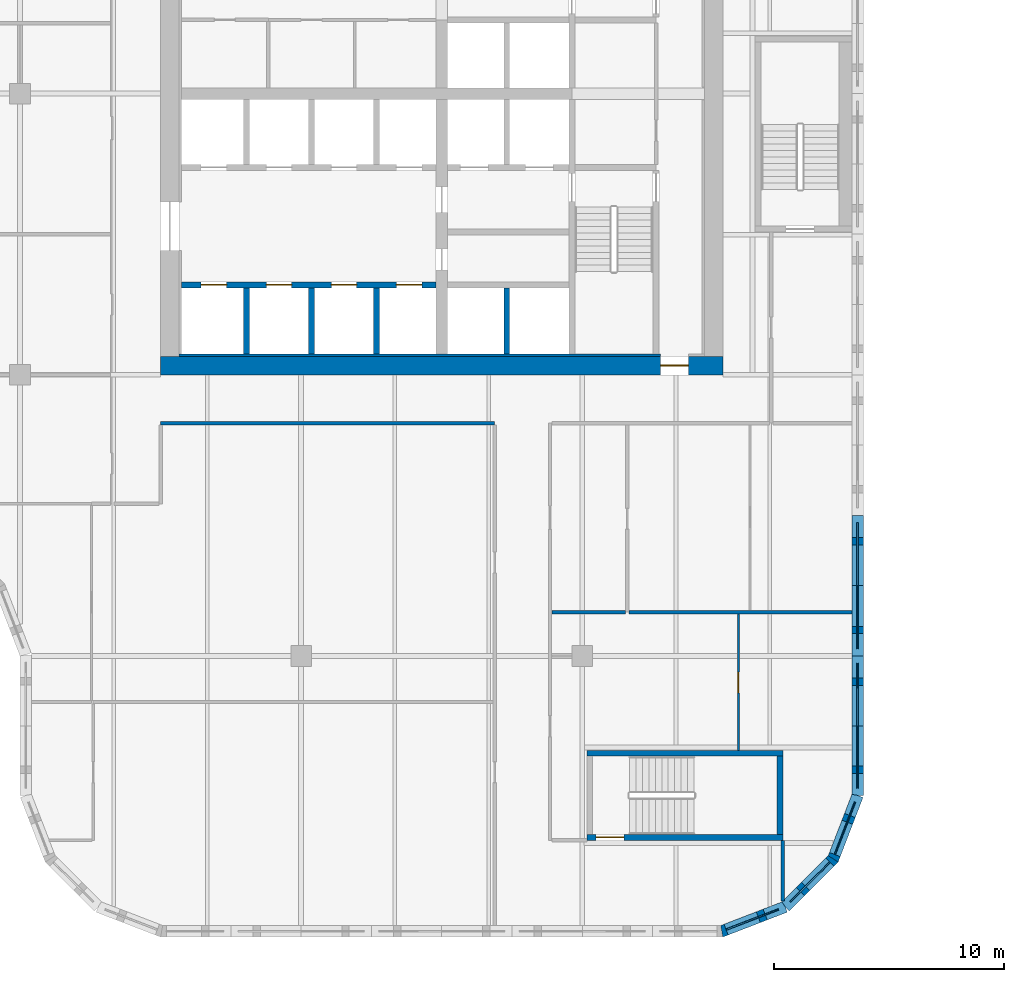
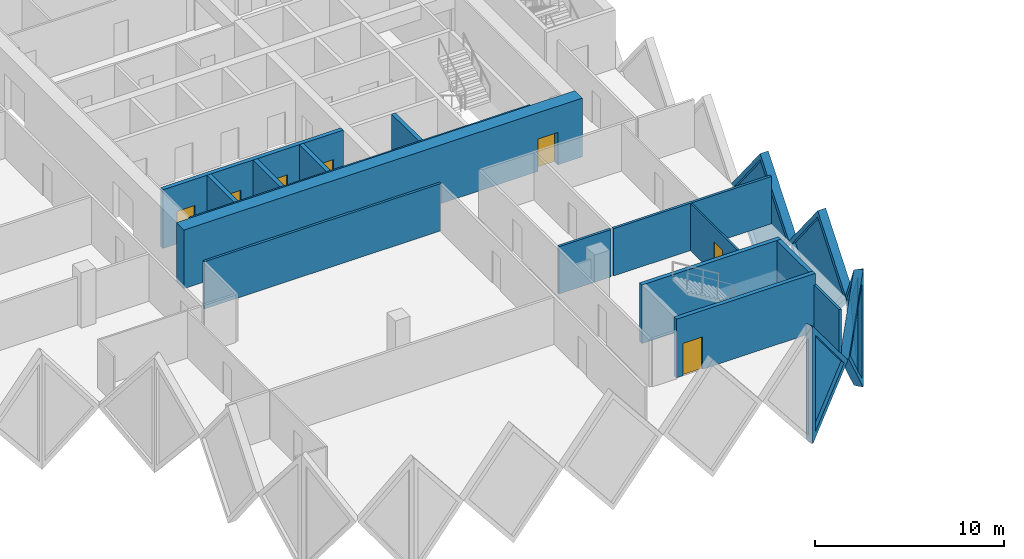
# One storey, part 6 of 18: 20 walls, 7 doors, 5 plates, 12 openings.
"""IFC4 building model written with IfcOpenShell, lengths in metres."""

from ifc_helpers import new_model, si_unit, direction, frame, frame_2d, origin, place, context, subcontext, project, spatial, polyline, rectangle, outline, extrude, faceted_brep, source, transform, mapped, material, layer, layer_set, type_object, element, fill, save


model = new_model("IFC4")

# Units and contexts
model_context = context("Model", 3, precision=1e-05, world=origin(), true_north=direction((0.0, 1.0)))
body_context = subcontext(model_context, "Body", "Model", "MODEL_VIEW")
ifc_project = project(units=[si_unit("LENGTHUNIT", "METRE"), si_unit("AREAUNIT", "SQUARE_METRE"), si_unit("VOLUMEUNIT", "CUBIC_METRE"), si_unit("PLANEANGLEUNIT", "RADIAN"), si_unit("MASSUNIT", "GRAM", prefix="KILO")], contexts=[model_context])

# Site, building, storey
site_placement = place(None, origin())
site = spatial("IfcSite", under=ifc_project, at=site_placement, CompositionType="ELEMENT")
building_placement = place(site_placement, origin())
building = spatial("IfcBuilding", under=site, at=building_placement, Name="Tessera Gate Towers", CompositionType="ELEMENT")
storey_placement = place(building_placement, frame((0.0, 0.0, 99.0)))
storey = spatial("IfcBuildingStorey", under=building, at=storey_placement, Name="L24", CompositionType="ELEMENT", Elevation=99.0)

# Wall, openings, doors
ifc_material_1 = material(Name="Concrete C40/50", Category="concrete")
ifc_layer_1 = layer(ifc_material_1, 0.25)
ifc_layer_set_1 = layer_set([ifc_layer_1], Name="CORE ENCLOSURE WALL 250")
wall_type_1 = type_object("IfcWallType", Name="CORE ENCLOSURE WALL 250", PredefinedType="SOLIDWALL", material=ifc_layer_set_1)
wall_1_placement = place(storey_placement, frame((31.39990234375, 28.300048828125, 0.0), z_axis=(0.0, 0.0, 1.0), x_axis=(1.0, 0.0, 0.0)))
wall_1 = element("IfcWall", 1, at=wall_1_placement, inside=storey, type_object=wall_type_1, Name="L24 shaft and stair enclosure wall", PredefinedType="SOLIDWALL", context=body_context, shape_type="SweptSolid", body=[
    extrude(rectangle(XDim=11.050048828125, YDim=0.25, at=frame_2d((5.52490234375, 0.0))), origin(), (0.0, 0.0, 1.0), 3.800048828125),
])
shared_shape_1 = source(origin(), body_context, "Body", "SweptSolid", [
    extrude(rectangle(XDim=1.10009765625, YDim=2.10009765625, at=frame_2d((0.550048828125, 1.050048828125))), frame((0.0, 0.135009765625, 0.0), z_axis=(0.0, -1.0, 0.0), x_axis=(1.0, 0.0, 0.0)), (0.0, 0.0, 1.0), 0.27001953125),
])
opening_1_placement = place(wall_1_placement, frame((0.862548828125, 0.0, 0.0)))
opening_1 = element("IfcOpeningElement", 2, at=opening_1_placement, cuts=wall_1, Name="Opening LD-LR1", PredefinedType="OPENING", context=body_context, shape_type="MappedRepresentation", body=[
    mapped(shared_shape_1, transform((0.0, 0.0, 0.0), scale=1.0)),
])
opening_2_placement = place(wall_1_placement, frame((3.6875, 0.0, 0.0)))
opening_2 = element("IfcOpeningElement", 3, at=opening_2_placement, cuts=wall_1, Name="Opening LD-LR2", PredefinedType="OPENING", context=body_context, shape_type="MappedRepresentation", body=[
    mapped(shared_shape_1, transform((0.0, 0.0, 0.0), scale=1.0)),
])
opening_3_placement = place(wall_1_placement, frame((6.512451171875, 0.0, 0.0)))
opening_3 = element("IfcOpeningElement", 4, at=opening_3_placement, cuts=wall_1, Name="Opening LD-LR3", PredefinedType="OPENING", context=body_context, shape_type="MappedRepresentation", body=[
    mapped(shared_shape_1, transform((0.0, 0.0, 0.0), scale=1.0)),
])
opening_4_placement = place(wall_1_placement, frame((9.33740234375, 0.0, 0.0)))
opening_4 = element("IfcOpeningElement", 5, at=opening_4_placement, cuts=wall_1, Name="Opening LD-LR4", PredefinedType="OPENING", context=body_context, shape_type="MappedRepresentation", body=[
    mapped(shared_shape_1, transform((0.0, 0.0, 0.0), scale=1.0)),
])
ifc_material_2 = material(Name="Stainless steel", Category="steel")
door_type_1 = type_object("IfcDoorType", Name="CORE DOOR LD 1100x2100", OperationType="DOUBLE_DOOR_SLIDING", PredefinedType="DOOR", material=ifc_material_2)
shared_shape_2 = source(origin(), body_context, "Body", "SweptSolid", [
    extrude(rectangle(XDim=1.10009765625, YDim=2.10009765625, at=frame_2d((0.550048828125, 1.050048828125))), frame((0.0, 0.02490234375, 0.0), z_axis=(0.0, -1.0, 0.0), x_axis=(1.0, 0.0, 0.0)), (0.0, 0.0, 1.0), 0.050048828125),
])
door_1_placement = place(opening_1_placement, origin())
door_1 = element("IfcDoor", 6, at=door_1_placement, inside=storey, type_object=door_type_1, Name="Landing door LR1 L24", OperationType="DOUBLE_DOOR_SLIDING", OverallHeight=2.10009765625, OverallWidth=1.10009765625, PredefinedType="DOOR", context=body_context, shape_type="MappedRepresentation", body=[
    mapped(shared_shape_2, transform((0.0, 0.0, 0.0), scale=1.0)),
])
fill(opening_1, door_1)
door_2_placement = place(opening_2_placement, origin())
door_2 = element("IfcDoor", 7, at=door_2_placement, inside=storey, type_object=door_type_1, Name="Landing door LR2 L24", OperationType="DOUBLE_DOOR_SLIDING", OverallHeight=2.10009765625, OverallWidth=1.10009765625, PredefinedType="DOOR", context=body_context, shape_type="MappedRepresentation", body=[
    mapped(shared_shape_2, transform((0.0, 0.0, 0.0), scale=1.0)),
])
fill(opening_2, door_2)
door_3_placement = place(opening_3_placement, origin())
door_3 = element("IfcDoor", 8, at=door_3_placement, inside=storey, type_object=door_type_1, Name="Landing door LR3 L24", OperationType="DOUBLE_DOOR_SLIDING", OverallHeight=2.10009765625, OverallWidth=1.10009765625, PredefinedType="DOOR", context=body_context, shape_type="MappedRepresentation", body=[
    mapped(shared_shape_2, transform((0.0, 0.0, 0.0), scale=1.0)),
])
fill(opening_3, door_3)
door_4_placement = place(opening_4_placement, origin())
door_4 = element("IfcDoor", 9, at=door_4_placement, inside=storey, type_object=door_type_1, Name="Landing door LR4 L24", OperationType="DOUBLE_DOOR_SLIDING", OverallHeight=2.10009765625, OverallWidth=1.10009765625, PredefinedType="DOOR", context=body_context, shape_type="MappedRepresentation", body=[
    mapped(shared_shape_2, transform((0.0, 0.0, 0.0), scale=1.0)),
])
fill(opening_4, door_4)

# Walls
for number, where, z_axis, x_axis, name in (
    (10, (34.22509765625, 25.300048828125, 0.0), (0.0, 0.0, 1.0), (0.0, 1.0, 0.0), "L24 shaft and stair enclosure wall"),
    (11, (37.050048828125, 25.300048828125, 0.0), (0.0, 0.0, 1.0), (0.0, 1.0, 0.0), "L24 shaft and stair enclosure wall"),
    (12, (39.875, 25.300048828125, 0.0), (0.0, 0.0, 1.0), (0.0, 1.0, 0.0), "L24 shaft and stair enclosure wall"),
    (13, (45.52490234375, 25.300048828125, 0.0), (0.0, 0.0, 1.0), (0.0, 1.0, 0.0), "L24 shaft and stair enclosure wall"),
):
    element("IfcWall", number, at=place(storey_placement, frame(where, z_axis=z_axis, x_axis=x_axis)), inside=storey, type_object=wall_type_1, Name=name, PredefinedType="SOLIDWALL", context=body_context, shape_type="SweptSolid", body=[
        extrude(rectangle(XDim=2.875, YDim=0.25, at=frame_2d((1.4375, 0.0))), origin(), (0.0, 0.0, 1.0), 3.800048828125),
    ])

# Wall, opening, door
wall_2_placement = place(storey_placement, frame((57.5, 4.324951171875, 0.0), z_axis=(0.0, 0.0, 1.0), x_axis=(-1.0, 0.0, 0.0)))
wall_2 = element("IfcWall", 14, at=wall_2_placement, inside=storey, type_object=wall_type_1, Name="L24 ST4 enclosure wall", PredefinedType="SOLIDWALL", context=body_context, shape_type="SweptSolid", body=[
    extrude(rectangle(XDim=8.5, YDim=0.25, at=frame_2d((4.25, 0.0))), origin(), (0.0, 0.0, 1.0), 3.800048828125),
])
shared_shape_3 = source(origin(), body_context, "Body", "SweptSolid", [
    extrude(rectangle(XDim=1.199951171875, YDim=2.10009765625, at=frame_2d((0.60009765625, 1.050048828125))), frame((0.0, 0.135009765625, 0.0), z_axis=(0.0, -1.0, 0.0), x_axis=(1.0, 0.0, 0.0)), (0.0, 0.0, 1.0), 0.27001953125),
])
opening_5_placement = place(wall_2_placement, frame((6.89990234375, 0.0, 0.0)))
opening_5 = element("IfcOpeningElement", 15, at=opening_5_placement, cuts=wall_2, Name="Opening SD-ST4-1", PredefinedType="OPENING", context=body_context, shape_type="MappedRepresentation", body=[
    mapped(shared_shape_3, transform((0.0, 0.0, 0.0), scale=1.0)),
])
ifc_material_3 = material(Name="Hollow steel fire door", Category="steel")
door_type_2 = type_object("IfcDoorType", Name="CORE DOOR SD 1200x2100", OperationType="NOTDEFINED", PredefinedType="DOOR", material=ifc_material_3)
shared_shape_4 = source(origin(), body_context, "Body", "SweptSolid", [
    extrude(rectangle(XDim=1.199951171875, YDim=2.10009765625, at=frame_2d((0.60009765625, 1.050048828125))), frame((0.0, 0.02490234375, 0.0), z_axis=(0.0, -1.0, 0.0), x_axis=(1.0, 0.0, 0.0)), (0.0, 0.0, 1.0), 0.050048828125),
])
door_5_placement = place(opening_5_placement, origin())
door_5 = element("IfcDoor", 16, at=door_5_placement, inside=storey, type_object=door_type_2, Name="Stair door", OperationType="SINGLE_SWING_RIGHT", OverallHeight=2.10009765625, OverallWidth=1.199951171875, PredefinedType="DOOR", context=body_context, shape_type="MappedRepresentation", body=[
    mapped(shared_shape_4, transform((0.0, 0.0, 0.0), scale=1.0)),
])
fill(opening_5, door_5)

# Walls
wall_3_placement = place(storey_placement, frame((49.0, 7.97509765625, 0.0), z_axis=(0.0, 0.0, 1.0), x_axis=(1.0, 0.0, 0.0)))
element("IfcWall", 17, at=wall_3_placement, inside=storey, type_object=wall_type_1, Name="L24 ST4 enclosure wall", PredefinedType="SOLIDWALL", context=body_context, shape_type="SweptSolid", body=[
    extrude(rectangle(XDim=8.5, YDim=0.25, at=frame_2d((4.25, 0.0))), origin(), (0.0, 0.0, 1.0), 3.800048828125),
])
wall_4_placement = place(storey_placement, frame((57.375, 7.85009765625, 0.0), z_axis=(0.0, 0.0, 1.0), x_axis=(0.0, -1.0, 0.0)))
element("IfcWall", 18, at=wall_4_placement, inside=storey, type_object=wall_type_1, Name="L24 ST4 enclosure wall", PredefinedType="SOLIDWALL", context=body_context, shape_type="SweptSolid", body=[
    extrude(rectangle(XDim=3.400146484375, YDim=0.25, at=frame_2d((1.7001953125, 0.0))), origin(), (0.0, 0.0, 1.0), 3.800048828125),
])

# Wall, opening, door
ifc_material_4 = material(Name="Concrete C60/75", Category="concrete")
ifc_layer_2 = layer(ifc_material_4, 0.800048828125)
ifc_layer_set_2 = layer_set([ifc_layer_2], Name="CORE SHEAR WALL 800 C60/75")
wall_type_2 = type_object("IfcWallType", Name="CORE SHEAR WALL 800 C60/75", PredefinedType="SHEAR", material=ifc_layer_set_2)
wall_5_placement = place(storey_placement, frame((54.89990234375, 24.800048828125, 0.0), z_axis=(0.0, 0.0, 1.0), x_axis=(-1.0, 0.0, 0.0)))
wall_5 = element("IfcWall", 19, at=wall_5_placement, inside=storey, type_object=wall_type_2, Name="Core wall S L24", PredefinedType="SHEAR", context=body_context, shape_type="SweptSolid", body=[
    extrude(rectangle(XDim=24.39990234375, YDim=0.800048828125, at=frame_2d((12.199951171875, 0.0))), origin(), (0.0, 0.0, 1.0), 3.800048828125),
])
shared_shape_5 = source(origin(), body_context, "Body", "SweptSolid", [
    extrude(rectangle(XDim=1.199951171875, YDim=2.10009765625, at=frame_2d((0.60009765625, 1.050048828125))), frame((0.0, 0.409912109375, 0.0), z_axis=(0.0, -1.0, 0.0), x_axis=(1.0, 0.0, 0.0)), (0.0, 0.0, 1.0), 0.820068359375),
])
opening_6_placement = place(wall_5_placement, frame((1.5, 0.0, 0.0)))
opening_6 = element("IfcOpeningElement", 20, at=opening_6_placement, cuts=wall_5, Name="Opening ED-T1-16-01", PredefinedType="OPENING", context=body_context, shape_type="MappedRepresentation", body=[
    mapped(shared_shape_5, transform((0.0, 0.0, 0.0), scale=1.0)),
])
ifc_material_5 = material(Name="Hollow steel fire door", Category="steel")
door_type_3 = type_object("IfcDoorType", Name="CORE DOOR ED 1200x2100", OperationType="NOTDEFINED", PredefinedType="DOOR", material=ifc_material_5)
door_6_placement = place(opening_6_placement, origin())
door_6 = element("IfcDoor", 21, at=door_6_placement, inside=storey, type_object=door_type_3, Name="Core exit door", OperationType="SINGLE_SWING_LEFT", OverallHeight=2.10009765625, OverallWidth=1.199951171875, PredefinedType="DOOR", context=body_context, shape_type="MappedRepresentation", body=[
    mapped(shared_shape_4, transform((0.0, 0.0, 0.0), scale=1.0)),
])
fill(opening_6, door_6)

# Walls
ifc_material_6 = material(Name="Concrete C60/75", Category="concrete")
ifc_layer_3 = layer(ifc_material_6, 0.10009765625)
ifc_layer_set_3 = layer_set([ifc_layer_3], Name="CORE WALL THICKENING 100")
wall_type_3 = type_object("IfcWallType", Name="CORE WALL THICKENING 100", PredefinedType="SOLIDWALL", material=ifc_layer_set_3)
wall_6_placement = place(storey_placement, frame((31.300048828125, 25.25, 0.0), z_axis=(0.0, 0.0, 1.0), x_axis=(1.0, 0.0, 0.0)))
element("IfcWall", 22, at=wall_6_placement, inside=storey, type_object=wall_type_3, Name="Core wall thickening S L24", PredefinedType="SOLIDWALL", context=body_context, shape_type="SweptSolid", body=[
    extrude(rectangle(XDim=20.89990234375, YDim=0.10009765625, at=frame_2d((10.449951171875, 0.0))), origin(), (0.0, 0.0, 1.0), 3.800048828125),
])
ifc_material_7 = material(Name="Gypsum board on steel studs, mineral wool", Category="steel")
ifc_layer_4 = layer(ifc_material_7, 0.14990234375)
ifc_layer_set_4 = layer_set([ifc_layer_4], Name="CORRIDOR WALL 150")
wall_type_4 = type_object("IfcWallType", Name="CORRIDOR WALL 150", PredefinedType="PARTITIONING", material=ifc_layer_set_4)
wall_7_placement = place(storey_placement, frame((57.5, 1.55908203125, 0.0), z_axis=(0.0, 0.0, 1.0), x_axis=(0.0, 1.0, 0.0)))
element("IfcWall", 23, at=wall_7_placement, inside=storey, type_object=wall_type_4, Name="T1-L24-PW-002", PredefinedType="PARTITIONING", context=body_context, shape_type="SweptSolid", body=[
    extrude(rectangle(XDim=2.640869140625, YDim=0.14990234375, at=frame_2d((1.3203125, 0.0))), origin(), (0.0, 0.0, 1.0), 3.06689453125),
])
wall_8_placement = place(storey_placement, frame((30.5, 22.300048828125, 0.0), z_axis=(0.0, 0.0, 1.0), x_axis=(1.0, 0.0, 0.0)))
element("IfcWall", 24, at=wall_8_placement, inside=storey, type_object=wall_type_4, Name="T1-L24-PW-023", PredefinedType="PARTITIONING", context=body_context, shape_type="SweptSolid", body=[
    extrude(rectangle(XDim=14.5, YDim=0.14990234375, at=frame_2d((7.25, 0.0))), origin(), (0.0, 0.0, 1.0), 3.06689453125),
])

# Wall, opening, door
ifc_material_8 = material(Name="Gypsum board on steel studs", Category="steel")
ifc_layer_5 = layer(ifc_material_8, 0.10009765625)
ifc_layer_set_5 = layer_set([ifc_layer_5], Name="PARTITION 100")
wall_type_5 = type_object("IfcWallType", Name="PARTITION 100", PredefinedType="PARTITIONING", material=ifc_layer_set_5)
wall_9_placement = place(storey_placement, frame((55.574951171875, 14.02392578125, 0.0), z_axis=(0.0, 0.0, 1.0), x_axis=(0.0, -1.0, 0.0)))
wall_9 = element("IfcWall", 25, at=wall_9_placement, inside=storey, type_object=wall_type_5, Name="T1-L24-PW-007", PredefinedType="PARTITIONING", context=body_context, shape_type="SweptSolid", body=[
    extrude(rectangle(XDim=5.923828125, YDim=0.10009765625, at=frame_2d((2.9619140625, 0.0))), origin(), (0.0, 0.0, 1.0), 3.06689453125),
])
shared_shape_6 = source(origin(), body_context, "Body", "SweptSolid", [
    extrude(rectangle(XDim=0.89990234375, YDim=2.10009765625, at=frame_2d((0.449951171875, 1.050048828125))), frame((0.0, 0.06005859375, 0.0), z_axis=(0.0, -1.0, 0.0), x_axis=(1.0, 0.0, 0.0)), (0.0, 0.0, 1.0), 0.1201171875),
])
opening_7_placement = place(wall_9_placement, frame((2.52392578125, 0.0, 0.0)))
opening_7 = element("IfcOpeningElement", 26, at=opening_7_placement, cuts=wall_9, Name="Opening D190-A09-07", PredefinedType="OPENING", context=body_context, shape_type="MappedRepresentation", body=[
    mapped(shared_shape_6, transform((0.0, 0.0, 0.0), scale=1.0)),
])
ifc_material_9 = material(Name="Timber door leaf in steel frame", Category="steel")
door_type_4 = type_object("IfcDoorType", Name="INTERNAL DOOR 900 NOT RATED", OperationType="NOTDEFINED", PredefinedType="DOOR", material=ifc_material_9)
shared_shape_7 = source(origin(), body_context, "Body", "SweptSolid", [
    extrude(rectangle(XDim=0.89990234375, YDim=2.10009765625, at=frame_2d((0.449951171875, 1.050048828125))), frame((0.0, 0.02490234375, 0.0), z_axis=(0.0, -1.0, 0.0), x_axis=(1.0, 0.0, 0.0)), (0.0, 0.0, 1.0), 0.050048828125),
])
door_7_placement = place(opening_7_placement, origin())
door_7 = element("IfcDoor", 27, at=door_7_placement, inside=storey, type_object=door_type_4, Name="T1-L24-PD-011", OperationType="SINGLE_SWING_RIGHT", OverallHeight=2.10009765625, OverallWidth=0.89990234375, PredefinedType="DOOR", context=body_context, shape_type="MappedRepresentation", body=[
    mapped(shared_shape_7, transform((0.0, 0.0, 0.0), scale=1.0)),
])
fill(opening_7, door_7)

# Walls
ifc_material_10 = material(Name="Gypsum board on steel studs, mineral wool", Category="steel")
ifc_layer_6 = layer(ifc_material_10, 0.14990234375)
ifc_layer_set_6 = layer_set([ifc_layer_6], Name="TENANCY WALL 150")
wall_type_6 = type_object("IfcWallType", Name="TENANCY WALL 150", PredefinedType="PARTITIONING", material=ifc_layer_set_6)
wall_10_placement = place(storey_placement, frame((47.47607421875, 14.10009765625, 0.0), z_axis=(0.0, 0.0, 1.0), x_axis=(1.0, 0.0, 0.0)))
element("IfcWall", 28, at=wall_10_placement, inside=storey, type_object=wall_type_6, Name="T1-L24-PW-012", PredefinedType="PARTITIONING", context=body_context, shape_type="SweptSolid", body=[
    extrude(rectangle(XDim=3.197998046875, YDim=0.14990234375, at=frame_2d((1.59912109375, 0.0))), origin(), (0.0, 0.0, 1.0), 3.06689453125),
])
wall_11_placement = place(storey_placement, frame((50.825927734375, 14.10009765625, 0.0), z_axis=(0.0, 0.0, 1.0), x_axis=(1.0, 0.0, 0.0)))
element("IfcWall", 29, at=wall_11_placement, inside=storey, type_object=wall_type_6, Name="T1-L24-PW-014", PredefinedType="PARTITIONING", context=body_context, shape_type="SweptSolid", body=[
    extrude(rectangle(XDim=9.674072265625, YDim=0.14990234375, at=frame_2d((4.8369140625, 0.0))), origin(), (0.0, 0.0, 1.0), 3.06689453125),
])

# Wall, opening, plate
ifc_material_11 = material(Name="Precast concrete C60/75 white", Category="concrete")
ifc_layer_7 = layer(ifc_material_11, 0.5)
ifc_layer_set_7 = layer_set([ifc_layer_7], Name="TS1 tessera")
wall_type_7 = type_object("IfcWallType", Name="TS1 tessera", PredefinedType="SOLIDWALL", material=ifc_layer_set_7)
shared_shape_8 = source(origin(), body_context, "Body", "Brep", [
    faceted_brep([(3.00341796875, -0.25, 0.0), (6.053466796875, -0.25, 3.800048828125), (3.00341796875, -0.25, 7.60009765625), (0.0, -0.25, 3.800048828125), (0.046630859375, 0.25, 3.85888671875), (3.00341796875, 0.25, 7.60009765625), (6.053466796875, 0.25, 3.800048828125), (3.00341796875, 0.25, 0.0), (0.046630859375, 0.25, 3.7412109375), (0.0, 0.0, 3.800048828125)], [[[0, 1, 2, 3]], [[4, 5, 6, 7, 8]], [[7, 6, 1, 0]], [[6, 5, 2, 1]], [[5, 4, 9, 3, 2]], [[8, 7, 0, 3, 9]], [[8, 9, 4]]]),
])
wall_12_placement = place(storey_placement, frame((60.75, 6.146484375, -3.800048828125), z_axis=(0.0, 0.0, 1.0), x_axis=(0.0, 1.0, 0.0)))
wall_12 = element("IfcWall", 30, at=wall_12_placement, inside=storey, type_object=wall_type_7, Name="Precast tessera T1 TS1-0394", PredefinedType="SOLIDWALL", context=body_context, shape_type="MappedRepresentation", body=[
    mapped(shared_shape_8, transform((0.0, 0.0, 0.0), scale=1.0)),
])
shared_shape_9 = source(origin(), body_context, "Body", "SweptSolid", [
    extrude(outline(polyline([(3.0048828125, 0.4013671875), (5.73291015625, 3.800048828125), (3.0048828125, 7.19873046875), (0.318603515625, 3.800048828125), (3.0048828125, 0.4013671875)])), frame((0.0, 0.260009765625, 0.0), z_axis=(0.0, -1.0, 0.0), x_axis=(1.0, 0.0, 0.0)), (0.0, 0.0, 1.0), 0.52001953125),
])
opening_8_placement = place(wall_12_placement, origin())
opening_8 = element("IfcOpeningElement", 31, at=opening_8_placement, cuts=wall_12, Name="Opening T1-PL2-0808", PredefinedType="OPENING", context=body_context, shape_type="MappedRepresentation", body=[
    mapped(shared_shape_9, transform((0.0, 0.0, 0.0), scale=1.0)),
])
ifc_material_12 = material(Name="Low-e laminated glass", Category="glass")
ifc_layer_8 = layer(ifc_material_12, 0.06005859375)
ifc_layer_set_8 = layer_set([ifc_layer_8], Name="PL2 rhombic pane")
plate_type = type_object("IfcPlateType", Name="PL2 rhombic pane", PredefinedType="SHEET", material=ifc_layer_set_8)
shared_shape_10 = source(origin(), body_context, "Body", "SweptSolid", [
    extrude(outline(polyline([(3.0048828125, 0.4013671875), (5.73291015625, 3.800048828125), (3.0048828125, 7.19873046875), (0.318603515625, 3.800048828125), (3.0048828125, 0.4013671875)])), frame((0.0, 0.030029296875, 0.0), z_axis=(0.0, -1.0, 0.0), x_axis=(1.0, 0.0, 0.0)), (0.0, 0.0, 1.0), 0.06005859375),
])
plate_1_placement = place(opening_8_placement, origin())
plate_1 = element("IfcPlate", 32, at=plate_1_placement, inside=storey, type_object=plate_type, Name="Glass pane T1 PL2-0808", PredefinedType="SHEET", context=body_context, shape_type="MappedRepresentation", body=[
    mapped(shared_shape_10, transform((0.0, 0.0, 0.0), scale=1.0)),
])
fill(opening_8, plate_1)

shared_shape_11 = source(origin(), body_context, "Body", "SweptSolid", [
    extrude(outline(polyline([(3.050048828125, 0.0), (6.10009765625, 3.800048828125), (3.050048828125, 7.60009765625), (0.0, 3.800048828125), (3.050048828125, 0.0)])), frame((0.0, 0.25, 0.0), z_axis=(0.0, -1.0, 0.0), x_axis=(1.0, 0.0, 0.0)), (0.0, 0.0, 1.0), 0.5),
])
wall_13_placement = place(storey_placement, frame((60.75, 12.199951171875, -3.800048828125), z_axis=(0.0, 0.0, 1.0), x_axis=(0.0, 1.0, 0.0)))
wall_13 = element("IfcWall", 33, at=wall_13_placement, inside=storey, type_object=wall_type_7, Name="Precast tessera T1 TS1-0395", PredefinedType="SOLIDWALL", context=body_context, shape_type="MappedRepresentation", body=[
    mapped(shared_shape_11, transform((0.0, 0.0, 0.0), scale=1.0)),
])
shared_shape_12 = source(origin(), body_context, "Body", "SweptSolid", [
    extrude(outline(polyline([(3.050048828125, 0.3994140625), (5.779541015625, 3.800048828125), (3.050048828125, 7.20068359375), (0.320556640625, 3.800048828125), (3.050048828125, 0.3994140625)])), frame((0.0, 0.260009765625, 0.0), z_axis=(0.0, -1.0, 0.0), x_axis=(1.0, 0.0, 0.0)), (0.0, 0.0, 1.0), 0.52001953125),
])
opening_9_placement = place(wall_13_placement, origin())
opening_9 = element("IfcOpeningElement", 34, at=opening_9_placement, cuts=wall_13, Name="Opening T1-PL2-0809", PredefinedType="OPENING", context=body_context, shape_type="MappedRepresentation", body=[
    mapped(shared_shape_12, transform((0.0, 0.0, 0.0), scale=1.0)),
])
shared_shape_13 = source(origin(), body_context, "Body", "SweptSolid", [
    extrude(outline(polyline([(3.050048828125, 0.3994140625), (5.779541015625, 3.800048828125), (3.050048828125, 7.20068359375), (0.320556640625, 3.800048828125), (3.050048828125, 0.3994140625)])), frame((0.0, 0.030029296875, 0.0), z_axis=(0.0, -1.0, 0.0), x_axis=(1.0, 0.0, 0.0)), (0.0, 0.0, 1.0), 0.06005859375),
])
plate_2_placement = place(opening_9_placement, origin())
plate_2 = element("IfcPlate", 35, at=plate_2_placement, inside=storey, type_object=plate_type, Name="Glass pane T1 PL2-0809", PredefinedType="SHEET", context=body_context, shape_type="MappedRepresentation", body=[
    mapped(shared_shape_13, transform((0.0, 0.0, 0.0), scale=1.0)),
])
fill(opening_9, plate_2)

ifc_material_13 = material(Name="Precast concrete C60/75 white", Category="concrete")
ifc_layer_9 = layer(ifc_material_13, 0.5)
ifc_layer_set_9 = layer_set([ifc_layer_9], Name="TS3 corner tessera")
wall_type_8 = type_object("IfcWallType", Name="TS3 corner tessera", PredefinedType="SOLIDWALL", material=ifc_layer_set_9)
shared_shape_14 = source(origin(), body_context, "Body", "Brep", [
    faceted_brep([(0.046630859375, -0.25, 0.0), (2.9970703125, -0.25, 3.800048828125), (0.046630859375, -0.25, 7.60009765625), (0.0, -0.25, 7.541259765625), (0.0, -0.25, 0.058837890625), (0.09326171875, 0.25, 7.5400390625), (2.9443359375, 0.25, 3.8681640625), (2.9443359375, 0.25, 3.73193359375), (0.09326171875, 0.25, 0.06005859375), (2.9970703125, 0.00048828125, 3.800048828125), (0.046630859375, 0.0, 0.0), (0.046630859375, 0.0, 7.60009765625)], [[[0, 1, 2, 3, 4]], [[5, 6, 7, 8]], [[8, 7, 9, 1, 0, 10]], [[6, 5, 11, 2, 1, 9]], [[3, 2, 11]], [[10, 0, 4]], [[8, 10, 4, 3, 11, 5]], [[9, 7, 6]]]),
])
wall_14_placement = place(storey_placement, frame((54.81005859375, 0.233154296875, -3.800048828125), z_axis=(0.0, 0.0, 1.0), x_axis=(0.932990326376, 0.359901446078, 0.0)))
wall_14 = element("IfcWall", 36, at=wall_14_placement, inside=storey, type_object=wall_type_8, Name="Precast corner tessera T1 TS3-0532", PredefinedType="SOLIDWALL", context=body_context, shape_type="MappedRepresentation", body=[
    mapped(shared_shape_14, transform((0.0, 0.0, 0.0), scale=1.0)),
])
shared_shape_15 = source(origin(), body_context, "Body", "SweptSolid", [
    extrude(outline(polyline([(0.24658203125, 0.665283203125), (2.6806640625, 3.800048828125), (0.24658203125, 6.934814453125), (0.24658203125, 0.665283203125)])), frame((0.0, 0.260009765625, 0.0), z_axis=(0.0, -1.0, 0.0), x_axis=(1.0, 0.0, 0.0)), (0.0, 0.0, 1.0), 0.52001953125),
])
opening_10_placement = place(wall_14_placement, origin())
opening_10 = element("IfcOpeningElement", 37, at=opening_10_placement, cuts=wall_14, Name="Opening T1-PL2-0805", PredefinedType="OPENING", context=body_context, shape_type="MappedRepresentation", body=[
    mapped(shared_shape_15, transform((0.0, 0.0, 0.0), scale=1.0)),
])
shared_shape_16 = source(origin(), body_context, "Body", "SweptSolid", [
    extrude(outline(polyline([(0.24658203125, 0.665283203125), (2.6806640625, 3.800048828125), (0.24658203125, 6.934814453125), (0.24658203125, 0.665283203125)])), frame((0.0, 0.030029296875, 0.0), z_axis=(0.0, -1.0, 0.0), x_axis=(1.0, 0.0, 0.0)), (0.0, 0.0, 1.0), 0.06005859375),
])
plate_3_placement = place(opening_10_placement, origin())
plate_3 = element("IfcPlate", 38, at=plate_3_placement, inside=storey, type_object=plate_type, Name="Glass pane T1 PL2-0805", PredefinedType="SHEET", context=body_context, shape_type="MappedRepresentation", body=[
    mapped(shared_shape_16, transform((0.0, 0.0, 0.0), scale=1.0)),
])
fill(opening_10, plate_3)

shared_shape_17 = source(origin(), body_context, "Body", "Brep", [
    faceted_brep([(2.944091796875, -0.25, 0.0), (2.9970703125, -0.25, 0.068115234375), (2.9970703125, -0.25, 7.531982421875), (2.944091796875, -0.25, 7.60009765625), (0.0, -0.25, 3.800048828125), (0.052978515625, 0.25, 3.868408203125), (2.89111328125, 0.25, 7.531982421875), (2.89111328125, 0.25, 0.068115234375), (0.052978515625, 0.25, 3.731689453125), (2.944091796875, 0.000244140625, 0.0), (2.944091796875, 0.000244140625, 7.60009765625), (0.0, 0.0, 3.800048828125)], [[[0, 1, 2, 3, 4]], [[5, 6, 7, 8]], [[1, 0, 9]], [[10, 3, 2]], [[6, 5, 11, 4, 3, 10]], [[8, 7, 9, 0, 4, 11]], [[8, 11, 5]], [[1, 9, 7, 6, 10, 2]]]),
])
wall_15_placement = place(storey_placement, frame((57.606201171875, 1.31201171875, -3.800048828125), z_axis=(0.0, 0.0, 1.0), x_axis=(0.707147509625, 0.707066050402, 0.0)))
wall_15 = element("IfcWall", 39, at=wall_15_placement, inside=storey, type_object=wall_type_8, Name="Precast corner tessera T1 TS3-0533", PredefinedType="SOLIDWALL", context=body_context, shape_type="MappedRepresentation", body=[
    mapped(shared_shape_17, transform((0.0, 0.0, 0.0), scale=1.0)),
])
shared_shape_18 = source(origin(), body_context, "Body", "SweptSolid", [
    extrude(outline(polyline([(2.744140625, 6.933837890625), (0.316162109375, 3.800048828125), (2.744140625, 0.666259765625), (2.744140625, 6.933837890625)])), frame((0.0, 0.260009765625, 0.0), z_axis=(0.0, -1.0, 0.0), x_axis=(1.0, 0.0, 0.0)), (0.0, 0.0, 1.0), 0.52001953125),
])
opening_11_placement = place(wall_15_placement, origin())
opening_11 = element("IfcOpeningElement", 40, at=opening_11_placement, cuts=wall_15, Name="Opening T1-PL2-0806", PredefinedType="OPENING", context=body_context, shape_type="MappedRepresentation", body=[
    mapped(shared_shape_18, transform((0.0, 0.0, 0.0), scale=1.0)),
])
shared_shape_19 = source(origin(), body_context, "Body", "SweptSolid", [
    extrude(outline(polyline([(2.744140625, 6.933837890625), (0.316162109375, 3.800048828125), (2.744140625, 0.666259765625), (2.744140625, 6.933837890625)])), frame((0.0, 0.030029296875, 0.0), z_axis=(0.0, -1.0, 0.0), x_axis=(1.0, 0.0, 0.0)), (0.0, 0.0, 1.0), 0.06005859375),
])
plate_4_placement = place(opening_11_placement, origin())
plate_4 = element("IfcPlate", 41, at=plate_4_placement, inside=storey, type_object=plate_type, Name="Glass pane T1 PL2-0806", PredefinedType="SHEET", context=body_context, shape_type="MappedRepresentation", body=[
    mapped(shared_shape_19, transform((0.0, 0.0, 0.0), scale=1.0)),
])
fill(opening_11, plate_4)

shared_shape_20 = source(origin(), body_context, "Body", "Brep", [
    faceted_brep([(0.052978515625, -0.25, 0.0), (3.00341796875, -0.25, 3.800048828125), (0.052978515625, -0.25, 7.60009765625), (0.0, -0.25, 7.53173828125), (0.0, -0.25, 0.068359375), (0.10595703125, 0.25, 7.531982421875), (2.95703125, 0.25, 3.85986328125), (2.95703125, 0.25, 3.740234375), (0.10595703125, 0.25, 0.068115234375), (3.00341796875, 0.00048828125, 3.800048828125), (0.052978515625, 0.0, 0.0), (0.052978515625, 0.0, 7.60009765625)], [[[0, 1, 2, 3, 4]], [[5, 6, 7, 8]], [[8, 7, 9, 1, 0, 10]], [[6, 5, 11, 2, 1, 9]], [[3, 2, 11]], [[10, 0, 4]], [[8, 10, 4, 3, 11, 5]], [[9, 7, 6]]]),
])
wall_16_placement = place(storey_placement, frame((59.6689453125, 3.34423828125, -3.800048828125), z_axis=(0.0, 0.0, 1.0), x_axis=(0.35992665181, 0.932980602862, 0.0)))
wall_16 = element("IfcWall", 42, at=wall_16_placement, inside=storey, type_object=wall_type_8, Name="Precast corner tessera T1 TS3-0534", PredefinedType="SOLIDWALL", context=body_context, shape_type="MappedRepresentation", body=[
    mapped(shared_shape_20, transform((0.0, 0.0, 0.0), scale=1.0)),
])
shared_shape_21 = source(origin(), body_context, "Body", "SweptSolid", [
    extrude(outline(polyline([(0.2529296875, 0.665283203125), (2.68701171875, 3.800048828125), (0.2529296875, 6.934814453125), (0.2529296875, 0.665283203125)])), frame((0.0, 0.260009765625, 0.0), z_axis=(0.0, -1.0, 0.0), x_axis=(1.0, 0.0, 0.0)), (0.0, 0.0, 1.0), 0.52001953125),
])
opening_12_placement = place(wall_16_placement, origin())
opening_12 = element("IfcOpeningElement", 43, at=opening_12_placement, cuts=wall_16, Name="Opening T1-PL2-0807", PredefinedType="OPENING", context=body_context, shape_type="MappedRepresentation", body=[
    mapped(shared_shape_21, transform((0.0, 0.0, 0.0), scale=1.0)),
])
shared_shape_22 = source(origin(), body_context, "Body", "SweptSolid", [
    extrude(outline(polyline([(0.2529296875, 0.665283203125), (2.68701171875, 3.800048828125), (0.2529296875, 6.934814453125), (0.2529296875, 0.665283203125)])), frame((0.0, 0.030029296875, 0.0), z_axis=(0.0, -1.0, 0.0), x_axis=(1.0, 0.0, 0.0)), (0.0, 0.0, 1.0), 0.06005859375),
])
plate_5_placement = place(opening_12_placement, origin())
plate_5 = element("IfcPlate", 44, at=plate_5_placement, inside=storey, type_object=plate_type, Name="Glass pane T1 PL2-0807", PredefinedType="SHEET", context=body_context, shape_type="MappedRepresentation", body=[
    mapped(shared_shape_22, transform((0.0, 0.0, 0.0), scale=1.0)),
])
fill(opening_12, plate_5)

save(model, "model.ifc")
